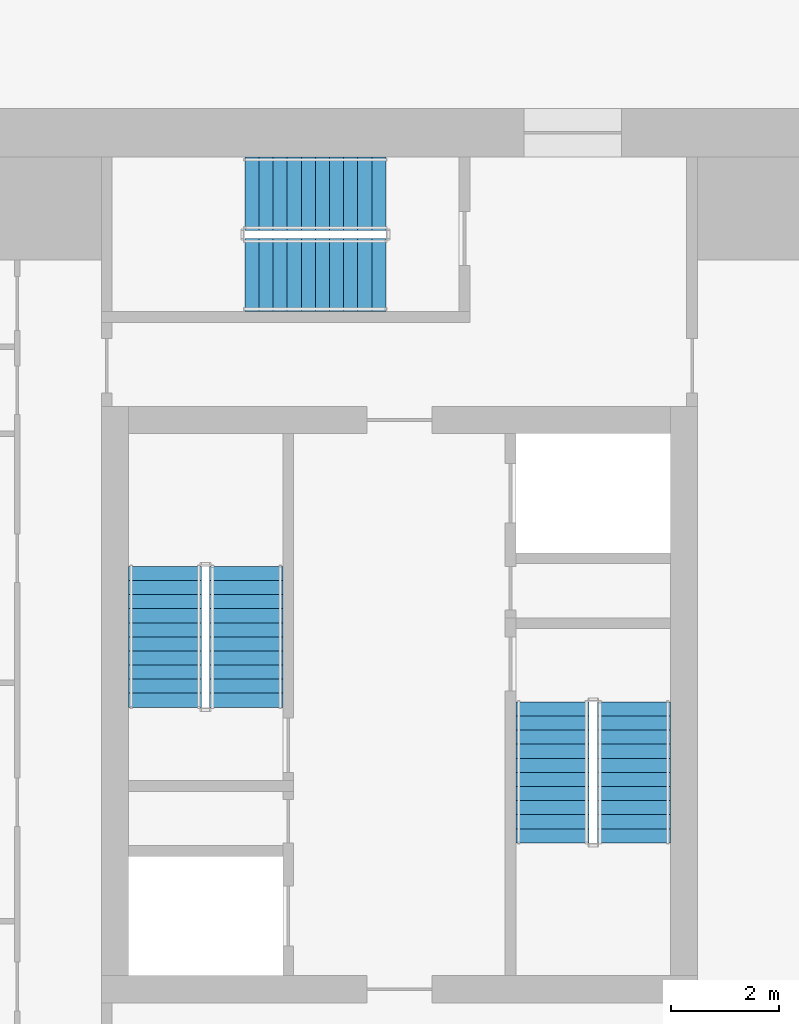
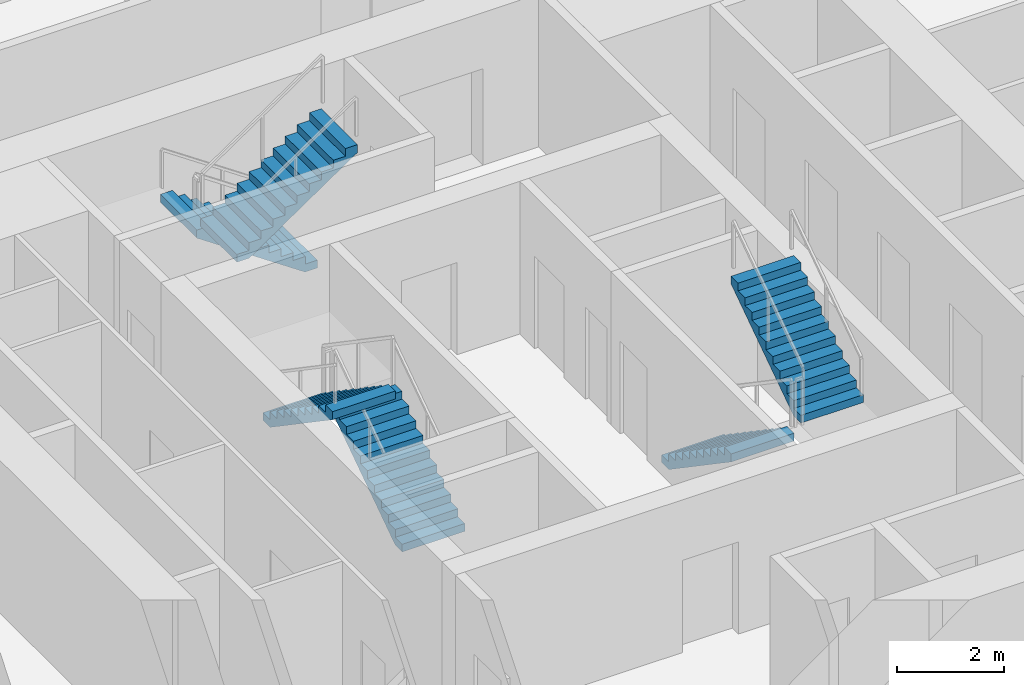
# One storey, part 10 of 16: 6 stair flights, 3 elements without a shape of their own.
"""IFC4 building model written with IfcOpenShell, lengths in metres."""

from ifc_helpers import new_model, si_unit, direction, frame, origin, place, context, subcontext, project, spatial, polyline, outline, extrude, material, type_object, element, aggregate, save


model = new_model("IFC4")

# Units and contexts
model_context = context("Model", 3, precision=1e-05, world=origin(), true_north=direction((0.0, 1.0)))
body_context = subcontext(model_context, "Body", "Model", "MODEL_VIEW")
ifc_project = project(units=[si_unit("LENGTHUNIT", "METRE"), si_unit("AREAUNIT", "SQUARE_METRE"), si_unit("VOLUMEUNIT", "CUBIC_METRE"), si_unit("PLANEANGLEUNIT", "RADIAN"), si_unit("MASSUNIT", "GRAM", prefix="KILO")], contexts=[model_context])

# Site, building, storey
site_placement = place(None, origin())
site = spatial("IfcSite", under=ifc_project, at=site_placement, CompositionType="ELEMENT")
building_placement = place(site_placement, origin())
building = spatial("IfcBuilding", under=site, at=building_placement, Name="Khepri Terraces", CompositionType="ELEMENT")
storey_placement = place(building_placement, frame((0.0, 0.0, 204.0)))
storey = spatial("IfcBuildingStorey", under=building, at=storey_placement, Name="L48", CompositionType="ELEMENT", Elevation=204.0)

# Stair, stair flights
ifc_material = material(Name="Concrete C40/50", Category="concrete")
stair_type = type_object("IfcStairType", Name="STAIR-RC-22R", PredefinedType="HALF_TURN_STAIR", material=ifc_material)
stair_1_placement = place(storey_placement, origin())
stair_1 = element("IfcStair", 1, at=stair_1_placement, inside=storey, type_object=stair_type, Name="L48 Exit Stair ST-1", PredefinedType="HALF_TURN_STAIR")
stair_flight_type = type_object("IfcStairFlightType", Name="SFL-RC-177.3", PredefinedType="STRAIGHT", material=ifc_material)
stair_flight_1_placement = place(storey_placement, frame((-2.824951171875, -0.050048828125, 0.0), z_axis=(0.0, 0.0, 1.0), x_axis=(0.0, 1.0, 0.0)))
stair_flight_1 = element("IfcStairFlight", 2, at=stair_flight_1_placement, type_object=stair_flight_type, Name="ST-1 flight 1", NumberOfRisers=11, NumberOfTreads=10, PredefinedType="STRAIGHT", RiserHeight=0.177272727, TreadLength=0.26, context=body_context, shape_type="SweptSolid", body=[
    extrude(outline(polyline([(0.0, 0.0), (0.0, 0.17724609375), (0.260009765625, 0.17724609375), (0.260009765625, 0.3544921875), (0.52001953125, 0.3544921875), (0.52001953125, 0.53173828125), (0.780029296875, 0.53173828125), (0.780029296875, 0.708984375), (1.0400390625, 0.708984375), (1.0400390625, 0.886474609375), (1.300048828125, 0.886474609375), (1.300048828125, 1.063720703125), (1.56005859375, 1.063720703125), (1.56005859375, 1.240966796875), (1.820068359375, 1.240966796875), (1.820068359375, 1.418212890625), (2.080078125, 1.418212890625), (2.080078125, 1.595458984375), (2.340087890625, 1.595458984375), (2.340087890625, 1.772705078125), (2.60009765625, 1.772705078125), (2.60009765625, 1.949951171875), (2.60009765625, 1.59130859375), (0.26611328125, 0.0), (0.0, 0.0)])), frame((0.0, 0.675048828125, 0.0), z_axis=(0.0, -1.0, 0.0), x_axis=(1.0, 0.0, 0.0)), (0.0, 0.0, 1.0), 1.35009765625),
])
stair_flight_2_placement = place(storey_placement, frame((-4.324951171875, 2.550048828125, 1.949951171875), z_axis=(0.0, 0.0, 1.0), x_axis=(0.0, -1.0, 0.0)))
stair_flight_2 = element("IfcStairFlight", 3, at=stair_flight_2_placement, type_object=stair_flight_type, Name="ST-1 flight 2", NumberOfRisers=11, NumberOfTreads=10, PredefinedType="STRAIGHT", RiserHeight=0.177272727, TreadLength=0.26, context=body_context, shape_type="SweptSolid", body=[
    extrude(outline(polyline([(0.0, 0.0), (0.0, 0.17724609375), (0.260009765625, 0.17724609375), (0.260009765625, 0.3544921875), (0.52001953125, 0.3544921875), (0.52001953125, 0.53173828125), (0.780029296875, 0.53173828125), (0.780029296875, 0.708984375), (1.0400390625, 0.708984375), (1.0400390625, 0.886474609375), (1.300048828125, 0.886474609375), (1.300048828125, 1.063720703125), (1.56005859375, 1.063720703125), (1.56005859375, 1.240966796875), (1.820068359375, 1.240966796875), (1.820068359375, 1.418212890625), (2.080078125, 1.418212890625), (2.080078125, 1.595458984375), (2.340087890625, 1.595458984375), (2.340087890625, 1.772705078125), (2.60009765625, 1.772705078125), (2.60009765625, 1.949951171875), (2.60009765625, 1.59130859375), (0.26611328125, 0.0), (0.0, 0.0)])), frame((0.0, 0.675048828125, 0.0), z_axis=(0.0, -1.0, 0.0), x_axis=(1.0, 0.0, 0.0)), (0.0, 0.0, 1.0), 1.35009765625),
])
aggregate(stair_1, [stair_flight_1, stair_flight_2])

stair_2_placement = place(storey_placement, origin())
stair_2 = element("IfcStair", 4, at=stair_2_placement, inside=storey, type_object=stair_type, Name="L48 Exit Stair ST-2", PredefinedType="HALF_TURN_STAIR")
stair_flight_3_placement = place(storey_placement, frame((2.824951171875, 0.050048828125, 0.0), z_axis=(0.0, 0.0, 1.0), x_axis=(0.0, -1.0, 0.0)))
stair_flight_3 = element("IfcStairFlight", 5, at=stair_flight_3_placement, type_object=stair_flight_type, Name="ST-2 flight 1", NumberOfRisers=11, NumberOfTreads=10, PredefinedType="STRAIGHT", RiserHeight=0.177272727, TreadLength=0.26, context=body_context, shape_type="SweptSolid", body=[
    extrude(outline(polyline([(0.0, 0.0), (0.0, 0.17724609375), (0.260009765625, 0.17724609375), (0.260009765625, 0.3544921875), (0.52001953125, 0.3544921875), (0.52001953125, 0.53173828125), (0.780029296875, 0.53173828125), (0.780029296875, 0.708984375), (1.0400390625, 0.708984375), (1.0400390625, 0.886474609375), (1.300048828125, 0.886474609375), (1.300048828125, 1.063720703125), (1.56005859375, 1.063720703125), (1.56005859375, 1.240966796875), (1.820068359375, 1.240966796875), (1.820068359375, 1.418212890625), (2.080078125, 1.418212890625), (2.080078125, 1.595458984375), (2.340087890625, 1.595458984375), (2.340087890625, 1.772705078125), (2.60009765625, 1.772705078125), (2.60009765625, 1.949951171875), (2.60009765625, 1.59130859375), (0.26611328125, 0.0), (0.0, 0.0)])), frame((0.0, 0.675048828125, 0.0), z_axis=(0.0, -1.0, 0.0), x_axis=(1.0, 0.0, 0.0)), (0.0, 0.0, 1.0), 1.35009765625),
])
stair_flight_4_placement = place(storey_placement, frame((4.324951171875, -2.550048828125, 1.949951171875), z_axis=(0.0, 0.0, 1.0), x_axis=(0.0, 1.0, 0.0)))
stair_flight_4 = element("IfcStairFlight", 6, at=stair_flight_4_placement, type_object=stair_flight_type, Name="ST-2 flight 2", NumberOfRisers=11, NumberOfTreads=10, PredefinedType="STRAIGHT", RiserHeight=0.177272727, TreadLength=0.26, context=body_context, shape_type="SweptSolid", body=[
    extrude(outline(polyline([(0.0, 0.0), (0.0, 0.17724609375), (0.260009765625, 0.17724609375), (0.260009765625, 0.3544921875), (0.52001953125, 0.3544921875), (0.52001953125, 0.53173828125), (0.780029296875, 0.53173828125), (0.780029296875, 0.708984375), (1.0400390625, 0.708984375), (1.0400390625, 0.886474609375), (1.300048828125, 0.886474609375), (1.300048828125, 1.063720703125), (1.56005859375, 1.063720703125), (1.56005859375, 1.240966796875), (1.820068359375, 1.240966796875), (1.820068359375, 1.418212890625), (2.080078125, 1.418212890625), (2.080078125, 1.595458984375), (2.340087890625, 1.595458984375), (2.340087890625, 1.772705078125), (2.60009765625, 1.772705078125), (2.60009765625, 1.949951171875), (2.60009765625, 1.59130859375), (0.26611328125, 0.0), (0.0, 0.0)])), frame((0.0, 0.675048828125, 0.0), z_axis=(0.0, -1.0, 0.0), x_axis=(1.0, 0.0, 0.0)), (0.0, 0.0, 1.0), 1.35009765625),
])
aggregate(stair_2, [stair_flight_3, stair_flight_4])

stair_3_placement = place(storey_placement, origin())
stair_3 = element("IfcStair", 7, at=stair_3_placement, inside=storey, type_object=stair_type, Name="L48 Exit Stair ST-3", PredefinedType="HALF_TURN_STAIR")
stair_flight_5_placement = place(storey_placement, frame((-0.25, 9.425048828125, 0.0), z_axis=(0.0, 0.0, 1.0), x_axis=(-1.0, 0.0, 0.0)))
stair_flight_5 = element("IfcStairFlight", 8, at=stair_flight_5_placement, type_object=stair_flight_type, Name="ST-3 flight 1", NumberOfRisers=11, NumberOfTreads=10, PredefinedType="STRAIGHT", RiserHeight=0.177272727, TreadLength=0.26, context=body_context, shape_type="SweptSolid", body=[
    extrude(outline(polyline([(0.0, 0.0), (0.0, 0.17724609375), (0.260009765625, 0.17724609375), (0.260009765625, 0.3544921875), (0.52001953125, 0.3544921875), (0.52001953125, 0.53173828125), (0.780029296875, 0.53173828125), (0.780029296875, 0.708984375), (1.0400390625, 0.708984375), (1.0400390625, 0.886474609375), (1.300048828125, 0.886474609375), (1.300048828125, 1.063720703125), (1.56005859375, 1.063720703125), (1.56005859375, 1.240966796875), (1.820068359375, 1.240966796875), (1.820068359375, 1.418212890625), (2.080078125, 1.418212890625), (2.080078125, 1.595458984375), (2.340087890625, 1.595458984375), (2.340087890625, 1.772705078125), (2.60009765625, 1.772705078125), (2.60009765625, 1.949951171875), (2.60009765625, 1.59130859375), (0.26611328125, 0.0), (0.0, 0.0)])), frame((0.0, 0.675048828125, 0.0), z_axis=(0.0, -1.0, 0.0), x_axis=(1.0, 0.0, 0.0)), (0.0, 0.0, 1.0), 1.35009765625),
])
stair_flight_6_placement = place(storey_placement, frame((-2.85009765625, 7.925048828125, 1.949951171875), z_axis=(0.0, 0.0, 1.0), x_axis=(1.0, 0.0, 0.0)))
stair_flight_6 = element("IfcStairFlight", 9, at=stair_flight_6_placement, type_object=stair_flight_type, Name="ST-3 flight 2", NumberOfRisers=11, NumberOfTreads=10, PredefinedType="STRAIGHT", RiserHeight=0.177272727, TreadLength=0.26, context=body_context, shape_type="SweptSolid", body=[
    extrude(outline(polyline([(0.0, 0.0), (0.0, 0.17724609375), (0.260009765625, 0.17724609375), (0.260009765625, 0.3544921875), (0.52001953125, 0.3544921875), (0.52001953125, 0.53173828125), (0.780029296875, 0.53173828125), (0.780029296875, 0.708984375), (1.0400390625, 0.708984375), (1.0400390625, 0.886474609375), (1.300048828125, 0.886474609375), (1.300048828125, 1.063720703125), (1.56005859375, 1.063720703125), (1.56005859375, 1.240966796875), (1.820068359375, 1.240966796875), (1.820068359375, 1.418212890625), (2.080078125, 1.418212890625), (2.080078125, 1.595458984375), (2.340087890625, 1.595458984375), (2.340087890625, 1.772705078125), (2.60009765625, 1.772705078125), (2.60009765625, 1.949951171875), (2.60009765625, 1.59130859375), (0.26611328125, 0.0), (0.0, 0.0)])), frame((0.0, 0.675048828125, 0.0), z_axis=(0.0, -1.0, 0.0), x_axis=(1.0, 0.0, 0.0)), (0.0, 0.0, 1.0), 1.35009765625),
])
aggregate(stair_3, [stair_flight_5, stair_flight_6])

save(model, "model.ifc")
